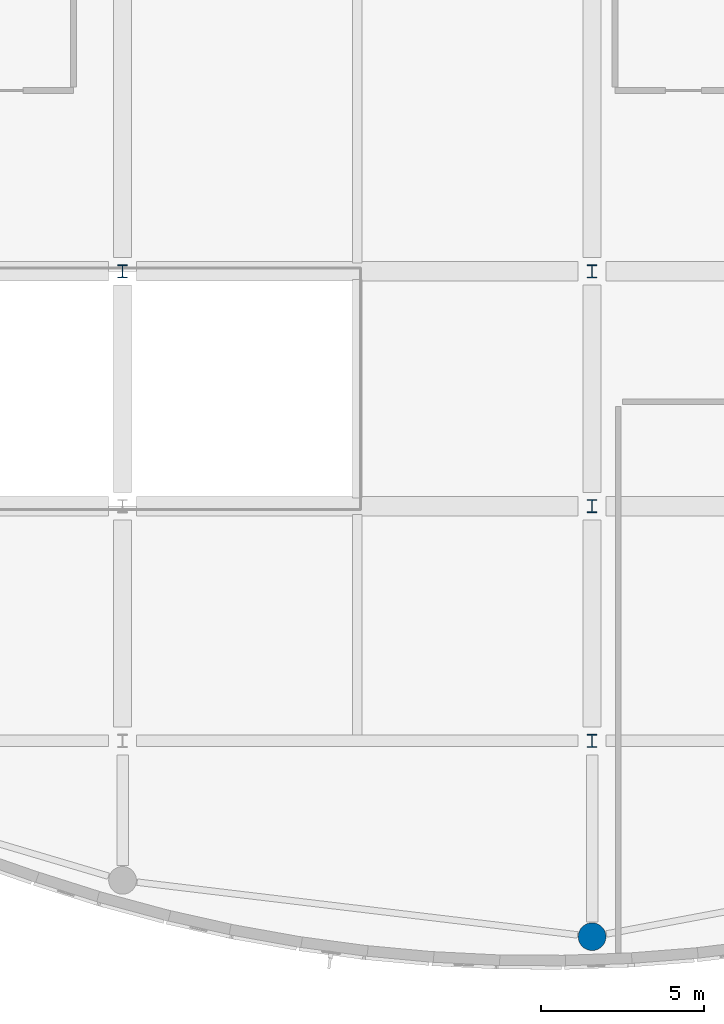
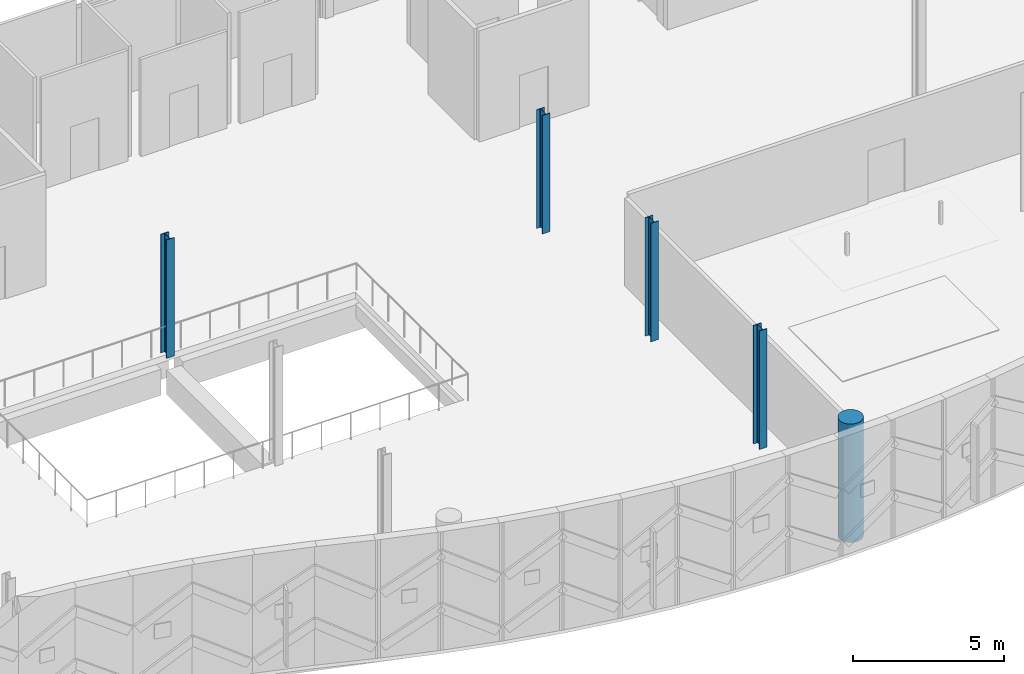
# One storey, part 2 of 220: 5 columns.
"""IFC4 building model written with IfcOpenShell, lengths in metres."""

from ifc_helpers import new_model, si_unit, direction, frame, origin, origin_2d, place, context, subcontext, project, spatial, circle, i_section, extrude, material, material_profile, profile_set, type_object, element, save


model = new_model("IFC4")

# Units and contexts
model_context = context("Model", 3, precision=1e-05, world=origin(), true_north=direction((0.0, 1.0)))
body_context = subcontext(model_context, "Body", "Model", "MODEL_VIEW")
ifc_project = project(units=[si_unit("LENGTHUNIT", "METRE"), si_unit("AREAUNIT", "SQUARE_METRE"), si_unit("VOLUMEUNIT", "CUBIC_METRE"), si_unit("PLANEANGLEUNIT", "RADIAN"), si_unit("MASSUNIT", "GRAM", prefix="KILO")], contexts=[model_context])

# Site, building, storey
site_placement = place(None, origin())
site = spatial("IfcSite", under=ifc_project, at=site_placement, CompositionType="ELEMENT")
building_placement = place(site_placement, origin())
building = spatial("IfcBuilding", under=site, at=building_placement, Name="Cendralis Lancet Convention Centre", CompositionType="ELEMENT")
storey_placement = place(building_placement, frame((0.0, 0.0, 5.39990234375)))
storey = spatial("IfcBuildingStorey", under=building, at=storey_placement, Name="L01", CompositionType="ELEMENT", Elevation=5.39990234375)

# Columns
ifc_material_1 = material(Name="Concrete G40 (C40/50)", Category="concrete")
ifc_material_profile_1 = material_profile(ifc_material_1, circle(Radius=0.425048828125, at=origin_2d()), Name="RC D850")
ifc_profile_set_1 = profile_set([ifc_material_profile_1], Name="Concrete G40 (C40/50)")
column_type_1 = type_object("IfcColumnType", Name="STR-COL-C17", PredefinedType="COLUMN", material=ifc_profile_set_1)
column_placement = place(storey_placement, frame((57.60009765625, 1.195068359375, 0.0), z_axis=(0.0, 0.0, 1.0), x_axis=(1.0, 0.0, 0.0)))
element("IfcColumn", 1, at=column_placement, inside=storey, type_object=column_type_1, Name="L01 Column C17 at 57.6,1.2", PredefinedType="COLUMN", context=body_context, shape_type="SweptSolid", body=[
    extrude(circle(Radius=0.425048828125, at=origin_2d()), origin(), (0.0, 0.0, 1.0), 4.800048828125),
])
ifc_material_2 = material(Name="Steel S355", Category="steel")
ifc_material_profile_2 = material_profile(ifc_material_2, i_section(OverallWidth=0.300048828125, OverallDepth=0.39990234375, WebThickness=0.013427734375, FlangeThickness=0.02392578125, FilletRadius=0.027099609375, at=origin_2d()), Name="HEB 400")
ifc_profile_set_2 = profile_set([ifc_material_profile_2], Name="Steel S355")
column_type_2 = type_object("IfcColumnType", Name="STR-COL-C25-INT", PredefinedType="COLUMN", material=ifc_profile_set_2)
for number, where, z_axis, x_axis, name in (
    (2, (43.199951171875, 21.60009765625, 0.0), (0.0, 0.0, 1.0), (1.0, 0.0, 0.0), "L01 Column C25 at 43.2,21.6"),
    (3, (57.60009765625, 7.199951171875, 0.0), (0.0, 0.0, 1.0), (1.0, 0.0, 0.0), "L01 Column C25 at 57.6,7.2"),
    (4, (57.60009765625, 14.39990234375, 0.0), (0.0, 0.0, 1.0), (1.0, 0.0, 0.0), "L01 Column C25 at 57.6,14.4"),
    (5, (57.60009765625, 21.60009765625, 0.0), (0.0, 0.0, 1.0), (1.0, 0.0, 0.0), "L01 Column C25 at 57.6,21.6"),
):
    element("IfcColumn", number, at=place(storey_placement, frame(where, z_axis=z_axis, x_axis=x_axis)), inside=storey, type_object=column_type_2, Name=name, PredefinedType="COLUMN", context=body_context, shape_type="SweptSolid", body=[
        extrude(i_section(OverallWidth=0.300048828125, OverallDepth=0.39990234375, WebThickness=0.013427734375, FlangeThickness=0.02392578125, FilletRadius=0.027099609375, at=origin_2d()), origin(), (0.0, 0.0, 1.0), 4.800048828125),
    ])

save(model, "model.ifc")
